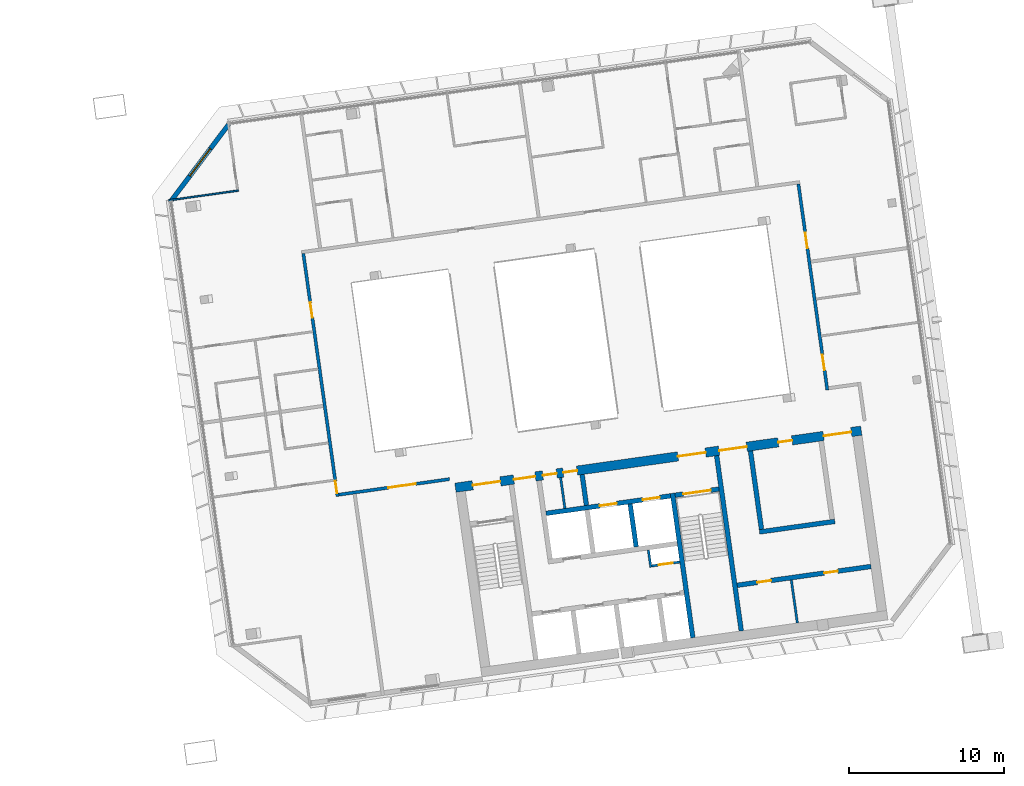
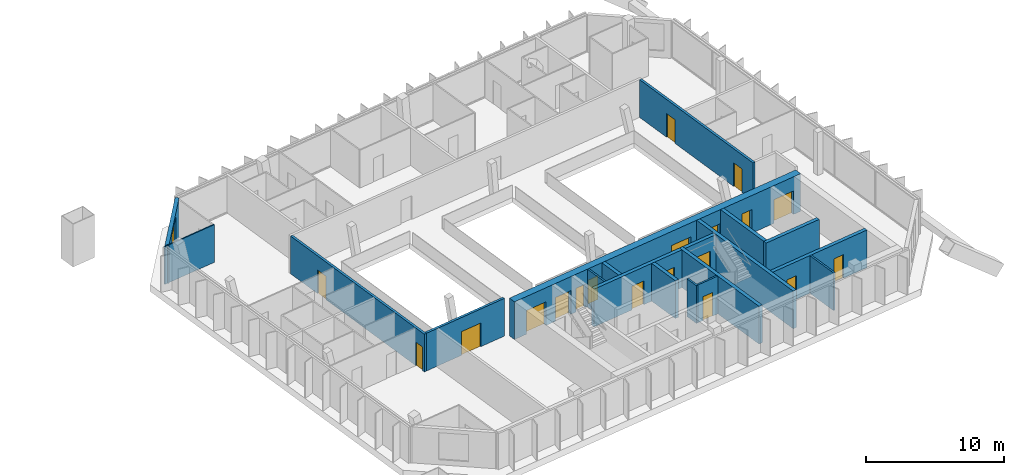
# One storey, part 18 of 25: 19 doors, 19 walls, 1 window, 20 openings.
"""IFC4 building model written with IfcOpenShell, lengths in metres."""

from ifc_helpers import new_model, si_unit, direction, frame, frame_2d, origin, place, context, subcontext, project, spatial, rectangle, extrude, material, layer, layer_set, type_object, element, fill, save


model = new_model("IFC4")

# Units and contexts
model_context = context("Model", 3, precision=1e-05, world=origin(), true_north=direction((0.0, 1.0)))
body_context = subcontext(model_context, "Body", "Model", "MODEL_VIEW")
ifc_project = project(units=[si_unit("LENGTHUNIT", "METRE"), si_unit("AREAUNIT", "SQUARE_METRE"), si_unit("VOLUMEUNIT", "CUBIC_METRE"), si_unit("PLANEANGLEUNIT", "RADIAN"), si_unit("MASSUNIT", "GRAM", prefix="KILO")], contexts=[model_context])

# Site, building, storey
site_placement = place(None, origin())
site = spatial("IfcSite", under=ifc_project, at=site_placement, CompositionType="ELEMENT")
building_placement = place(site_placement, origin())
building = spatial("IfcBuilding", under=site, at=building_placement, Name="Mirante Cascada Hotel Towers", CompositionType="ELEMENT")
storey_placement = place(building_placement, frame((0.0, 0.0, 247.0)))
storey = spatial("IfcBuildingStorey", under=building, at=storey_placement, Name="L59", CompositionType="ELEMENT", Elevation=247.0)

# Wall, opening, door
ifc_material_1 = material(Name="Fire-rated plasterboard on metal studs")
ifc_layer_1 = layer(ifc_material_1, 0.2)
ifc_layer_set_1 = layer_set([ifc_layer_1], Name="Compartment wall 200 EI 120")
wall_type_1 = type_object("IfcWallType", Name="Compartment wall 200 EI 120", PredefinedType="PARTITIONING", material=ifc_layer_set_1)
wall_1_placement = place(storey_placement, frame((28.1335, -8.1193, 0.0), z_axis=(0.0, 0.0, 1.0), x_axis=(0.9902689, 0.1391674, 0.0)))
wall_1 = element("IfcWall", 1, at=wall_1_placement, inside=storey, type_object=wall_type_1, Name="Wall 2-L59-02", PredefinedType="PARTITIONING", context=body_context, shape_type="SweptSolid", body=[
    extrude(rectangle(XDim=7.2, YDim=0.2, at=frame_2d((3.6, 0.0))), origin(), (0.0, 0.0, 1.0), 3.35),
])
opening_1_placement = place(wall_1_placement, frame((3.2085, 0.0, 0.0)))
opening_1 = element("IfcOpeningElement", 2, at=opening_1_placement, cuts=wall_1, Name="Opening D2-L59-01", PredefinedType="OPENING", context=body_context, shape_type="SweptSolid", body=[
    extrude(rectangle(XDim=1.8, YDim=2.1, at=frame_2d((0.9, 1.05))), frame((0.0, 0.1, 0.0), z_axis=(0.0, -1.0, 0.0), x_axis=(1.0, 0.0, 0.0)), (0.0, 0.0, 1.0), 0.2),
])
ifc_material_2 = material(Name="Fire-rated timber door leaf", Category="wood")
door_type_1 = type_object("IfcDoorType", Name="Suite double door DG2 1800x2100 EI 60", OperationType="DOUBLE_DOOR_SINGLE_SWING", PredefinedType="DOOR", material=ifc_material_2)
door_1_placement = place(opening_1_placement, origin())
door_1 = element("IfcDoor", 3, at=door_1_placement, inside=storey, type_object=door_type_1, Name="Door D2-L59-01", OperationType="DOUBLE_DOOR_SINGLE_SWING", OverallHeight=2.1, OverallWidth=1.8, PredefinedType="DOOR", context=body_context, shape_type="SweptSolid", body=[
    extrude(rectangle(XDim=0.895, YDim=2.1, at=frame_2d((0.4475, 1.05))), frame((0.0, 0.025, 0.0), z_axis=(0.0, -1.0, 0.0), x_axis=(1.0, 0.0, 0.0)), (0.0, 0.0, 1.0), 0.05),
    extrude(rectangle(XDim=0.895, YDim=2.1, at=frame_2d((1.3525, 1.05))), frame((0.0, 0.025, 0.0), z_axis=(0.0, -1.0, 0.0), x_axis=(1.0, 0.0, 0.0)), (0.0, 0.0, 1.0), 0.05),
])
fill(opening_1, door_1)

# Wall, openings, doors
wall_2_placement = place(storey_placement, frame((28.0484, -8.2323, 0.0), z_axis=(0.0, 0.0, 1.0), x_axis=(-0.1391766, 0.9902676, 0.0)))
wall_2 = element("IfcWall", 4, at=wall_2_placement, inside=storey, type_object=wall_type_1, Name="Wall 2-L59-32", PredefinedType="PARTITIONING", context=body_context, shape_type="SweptSolid", body=[
    extrude(rectangle(XDim=15.8001, YDim=0.2, at=frame_2d((7.9, 0.0))), origin(), (0.0, 0.0, 1.0), 3.35),
])
opening_2_placement = place(wall_2_placement, frame((0.205, 0.0, 0.0)))
opening_2 = element("IfcOpeningElement", 5, at=opening_2_placement, cuts=wall_2, Name="Opening D2-L59-23", PredefinedType="OPENING", context=body_context, shape_type="SweptSolid", body=[
    extrude(rectangle(XDim=0.8, YDim=2.1, at=frame_2d((0.4, 1.05))), frame((0.0, 0.1, 0.0), z_axis=(0.0, -1.0, 0.0), x_axis=(1.0, 0.0, 0.0)), (0.0, 0.0, 1.0), 0.2),
])
opening_3_placement = place(wall_2_placement, frame((11.6166, 0.0, 0.0)))
opening_3 = element("IfcOpeningElement", 6, at=opening_3_placement, cuts=wall_2, Name="Opening D2-L59-24", PredefinedType="OPENING", context=body_context, shape_type="SweptSolid", body=[
    extrude(rectangle(XDim=1.0, YDim=2.1, at=frame_2d((0.5, 1.05))), frame((0.0, 0.1, 0.0), z_axis=(0.0, -1.0, 0.0), x_axis=(1.0, 0.0, 0.0)), (0.0, 0.0, 1.0), 0.2),
])
ifc_material_3 = material(Name="Fire-rated timber door leaf", Category="wood")
door_type_2 = type_object("IfcDoorType", Name="Bathroom door DG4 800x2100 EI 60", OperationType="SINGLE_SWING_LEFT", PredefinedType="DOOR", material=ifc_material_3)
door_2_placement = place(opening_2_placement, origin())
door_2 = element("IfcDoor", 7, at=door_2_placement, inside=storey, type_object=door_type_2, Name="Door D2-L59-23", OperationType="SINGLE_SWING_LEFT", OverallHeight=2.1, OverallWidth=0.8, PredefinedType="DOOR", context=body_context, shape_type="SweptSolid", body=[
    extrude(rectangle(XDim=0.8, YDim=2.1, at=frame_2d((0.4, 1.05))), frame((0.0, 0.025, 0.0), z_axis=(0.0, -1.0, 0.0), x_axis=(1.0, 0.0, 0.0)), (0.0, 0.0, 1.0), 0.05),
])
fill(opening_2, door_2)
ifc_material_4 = material(Name="Fire-rated timber door leaf", Category="wood")
door_type_3 = type_object("IfcDoorType", Name="Entrance door DG1 1000x2100 EI 60", OperationType="SINGLE_SWING_LEFT", PredefinedType="DOOR", material=ifc_material_4)
door_3_placement = place(opening_3_placement, origin())
door_3 = element("IfcDoor", 8, at=door_3_placement, inside=storey, type_object=door_type_3, Name="Door D2-L59-24", OperationType="SINGLE_SWING_LEFT", OverallHeight=2.1, OverallWidth=1.0, PredefinedType="DOOR", context=body_context, shape_type="SweptSolid", body=[
    extrude(rectangle(XDim=1.0, YDim=2.1, at=frame_2d((0.5, 1.05))), frame((0.0, 0.025, 0.0), z_axis=(0.0, -1.0, 0.0), x_axis=(1.0, 0.0, 0.0)), (0.0, 0.0, 1.0), 0.05),
])
fill(opening_3, door_3)

wall_3_placement = place(storey_placement, frame((59.601, -1.3742, 0.0), z_axis=(0.0, 0.0, 1.0), x_axis=(-0.1391726, 0.9902681, 0.0)))
wall_3 = element("IfcWall", 9, at=wall_3_placement, inside=storey, type_object=wall_type_1, Name="Wall 2-L59-46", PredefinedType="PARTITIONING", context=body_context, shape_type="SweptSolid", body=[
    extrude(rectangle(XDim=13.3999, YDim=0.2, at=frame_2d((6.7, 0.0))), origin(), (0.0, 0.0, 1.0), 3.35),
])
opening_4_placement = place(wall_3_placement, frame((1.3, 0.0, 0.0)))
opening_4 = element("IfcOpeningElement", 10, at=opening_4_placement, cuts=wall_3, Name="Opening D2-L59-29", PredefinedType="OPENING", context=body_context, shape_type="SweptSolid", body=[
    extrude(rectangle(XDim=1.0, YDim=2.1, at=frame_2d((0.5, 1.05))), frame((0.0, 0.1, 0.0), z_axis=(0.0, -1.0, 0.0), x_axis=(1.0, 0.0, 0.0)), (0.0, 0.0, 1.0), 0.2),
])
opening_5_placement = place(wall_3_placement, frame((9.2166, 0.0, 0.0)))
opening_5 = element("IfcOpeningElement", 11, at=opening_5_placement, cuts=wall_3, Name="Opening D2-L59-30", PredefinedType="OPENING", context=body_context, shape_type="SweptSolid", body=[
    extrude(rectangle(XDim=1.0, YDim=2.1, at=frame_2d((0.5, 1.05))), frame((0.0, 0.1, 0.0), z_axis=(0.0, -1.0, 0.0), x_axis=(1.0, 0.0, 0.0)), (0.0, 0.0, 1.0), 0.2),
])
door_4_placement = place(opening_4_placement, frame((1.0, 0.0, 0.0), z_axis=(0.0, 0.0, 1.0), x_axis=(-1.0, 0.0, 0.0)))
door_4 = element("IfcDoor", 12, at=door_4_placement, inside=storey, type_object=door_type_3, Name="Door D2-L59-29", OperationType="SINGLE_SWING_RIGHT", OverallHeight=2.1, OverallWidth=1.0, PredefinedType="DOOR", context=body_context, shape_type="SweptSolid", body=[
    extrude(rectangle(XDim=1.0, YDim=2.1, at=frame_2d((0.5, 1.05))), frame((0.0, 0.025, 0.0), z_axis=(0.0, -1.0, 0.0), x_axis=(1.0, 0.0, 0.0)), (0.0, 0.0, 1.0), 0.05),
])
fill(opening_4, door_4)
door_5_placement = place(opening_5_placement, frame((1.0, 0.0, 0.0), z_axis=(0.0, 0.0, 1.0), x_axis=(-1.0, 0.0, 0.0)))
door_5 = element("IfcDoor", 13, at=door_5_placement, inside=storey, type_object=door_type_3, Name="Door D2-L59-30", OperationType="SINGLE_SWING_RIGHT", OverallHeight=2.1, OverallWidth=1.0, PredefinedType="DOOR", context=body_context, shape_type="SweptSolid", body=[
    extrude(rectangle(XDim=1.0, YDim=2.1, at=frame_2d((0.5, 1.05))), frame((0.0, 0.025, 0.0), z_axis=(0.0, -1.0, 0.0), x_axis=(1.0, 0.0, 0.0)), (0.0, 0.0, 1.0), 0.05),
])
fill(opening_5, door_5)

# Wall
ifc_material_5 = material(Name="Masonry block", Category="masonry")
ifc_layer_2 = layer(ifc_material_5, 0.15)
ifc_layer_set_2 = layer_set([ifc_layer_2], Name="Core room partition 150 block EI 30")
wall_type_2 = type_object("IfcWallType", Name="Core room partition 150 block EI 30", PredefinedType="PARTITIONING", material=ifc_layer_set_2)
wall_4_placement = place(storey_placement, frame((48.2295, -12.793, 0.0), z_axis=(0.0, 0.0, 1.0), x_axis=(-0.1391935, 0.9902652, 0.0)))
element("IfcWall", 14, at=wall_4_placement, inside=storey, type_object=wall_type_2, Name="Core wall partition T2 L59 2", PredefinedType="PARTITIONING", context=body_context, shape_type="SweptSolid", body=[
    extrude(rectangle(XDim=1.1251, YDim=0.15, at=frame_2d((0.5626, 0.0))), origin(), (0.0, 0.0, 1.0), 3.35),
])

# Wall, opening, door
wall_5_placement = place(storey_placement, frame((48.2933, -12.7083, 0.0), z_axis=(0.0, 0.0, 1.0), x_axis=(0.990268, 0.1391734, 0.0)))
wall_5 = element("IfcWall", 15, at=wall_5_placement, inside=storey, type_object=wall_type_2, Name="Core wall partition T2 L59 3", PredefinedType="PARTITIONING", context=body_context, shape_type="SweptSolid", body=[
    extrude(rectangle(XDim=1.8251, YDim=0.15, at=frame_2d((0.9126, 0.0))), origin(), (0.0, 0.0, 1.0), 3.35),
])
opening_6_placement = place(wall_5_placement, frame((0.4625, 0.0, 0.0)))
opening_6 = element("IfcOpeningElement", 16, at=opening_6_placement, cuts=wall_5, Name="Opening D2-59-C15", PredefinedType="OPENING", context=body_context, shape_type="SweptSolid", body=[
    extrude(rectangle(XDim=0.9, YDim=2.1, at=frame_2d((0.45, 1.05))), frame((0.0, 0.075, 0.0), z_axis=(0.0, -1.0, 0.0), x_axis=(1.0, 0.0, 0.0)), (0.0, 0.0, 1.0), 0.15),
])
ifc_material_6 = material(Name="Hollow metal fire door leaf")
door_type_4 = type_object("IfcDoorType", Name="Fire door 900x2100 FD60", OperationType="NOTDEFINED", PredefinedType="DOOR", material=ifc_material_6)
door_6_placement = place(opening_6_placement, frame((0.9, 0.0, 0.0), z_axis=(0.0, 0.0, 1.0), x_axis=(-1.0, 0.0, 0.0)))
door_6 = element("IfcDoor", 17, at=door_6_placement, inside=storey, type_object=door_type_4, Name="Riser door T2 L59 15", OperationType="SINGLE_SWING_RIGHT", OverallHeight=2.1, OverallWidth=0.9, PredefinedType="DOOR", context=body_context, shape_type="SweptSolid", body=[
    extrude(rectangle(XDim=0.9, YDim=2.1, at=frame_2d((0.45, 1.05))), frame((0.0, 0.025, 0.0), z_axis=(0.0, -1.0, 0.0), x_axis=(1.0, 0.0, 0.0)), (0.0, 0.0, 1.0), 0.05),
])
fill(opening_6, door_6)

# Walls
wall_6_placement = place(storey_placement, frame((42.6979, -9.0009, 0.0), z_axis=(0.0, 0.0, 1.0), x_axis=(-0.1391529, 0.9902709, 0.0)))
element("IfcWall", 18, at=wall_6_placement, inside=storey, type_object=wall_type_2, Name="Core wall partition T2 L59 4", PredefinedType="PARTITIONING", context=body_context, shape_type="SweptSolid", body=[
    extrude(rectangle(XDim=2.0, YDim=0.15, at=frame_2d((1.0, 0.0))), origin(), (0.0, 0.0, 1.0), 3.35),
])
wall_7_placement = place(storey_placement, frame((57.6718, -16.3889, 0.0), z_axis=(0.0, 0.0, 1.0), x_axis=(-0.139141, 0.9902726, 0.0)))
element("IfcWall", 19, at=wall_7_placement, inside=storey, type_object=wall_type_2, Name="Core wall partition T2 L59 6", PredefinedType="PARTITIONING", context=body_context, shape_type="SweptSolid", body=[
    extrude(rectangle(XDim=2.8, YDim=0.15, at=frame_2d((1.4, 0.0))), origin(), (0.0, 0.0, 1.0), 3.35),
])
ifc_material_7 = material(Name="Masonry block", Category="masonry")
ifc_layer_3 = layer(ifc_material_7, 0.3)
ifc_layer_set_3 = layer_set([ifc_layer_3], Name="Core wall 300 block EI 120")
wall_type_3 = type_object("IfcWallType", Name="Core wall 300 block EI 120", PredefinedType="PARTITIONING", material=ifc_layer_set_3)
wall_8_placement = place(storey_placement, frame((44.0843, -8.8061, 0.0), z_axis=(0.0, 0.0, 1.0), x_axis=(-0.1391951, 0.990265, 0.0)))
element("IfcWall", 20, at=wall_8_placement, inside=storey, type_object=wall_type_3, Name="Core wall partition T2 L59 1", PredefinedType="PARTITIONING", context=body_context, shape_type="SweptSolid", body=[
    extrude(rectangle(XDim=2.0001, YDim=0.3, at=frame_2d((1.0001, 0.0))), origin(), (0.0, 0.0, 1.0), 3.35),
])

# Wall, openings, doors
wall_9_placement = place(storey_placement, frame((53.7953, -13.9547, 0.0), z_axis=(0.0, 0.0, 1.0), x_axis=(0.9902683, 0.1391714, 0.0)))
wall_9 = element("IfcWall", 21, at=wall_9_placement, inside=storey, type_object=wall_type_3, Name="Core wall partition T2 L59 5", PredefinedType="PARTITIONING", context=body_context, shape_type="SweptSolid", body=[
    extrude(rectangle(XDim=8.7001, YDim=0.3, at=frame_2d((4.3501, 0.0))), origin(), (0.0, 0.0, 1.0), 3.35),
])
opening_7_placement = place(wall_9_placement, frame((1.3, 0.0, 0.0)))
opening_7 = element("IfcOpeningElement", 22, at=opening_7_placement, cuts=wall_9, Name="Opening D2-59-C18", PredefinedType="OPENING", context=body_context, shape_type="SweptSolid", body=[
    extrude(rectangle(XDim=0.9, YDim=2.1, at=frame_2d((0.45, 1.05))), frame((0.0, 0.15, 0.0), z_axis=(0.0, -1.0, 0.0), x_axis=(1.0, 0.0, 0.0)), (0.0, 0.0, 1.0), 0.3),
])
opening_8_placement = place(wall_9_placement, frame((5.65, 0.0, 0.0)))
opening_8 = element("IfcOpeningElement", 23, at=opening_8_placement, cuts=wall_9, Name="Opening D2-59-C19", PredefinedType="OPENING", context=body_context, shape_type="SweptSolid", body=[
    extrude(rectangle(XDim=0.9, YDim=2.1, at=frame_2d((0.45, 1.05))), frame((0.0, 0.15, 0.0), z_axis=(0.0, -1.0, 0.0), x_axis=(1.0, 0.0, 0.0)), (0.0, 0.0, 1.0), 0.3),
])
door_7_placement = place(opening_7_placement, frame((0.9, 0.0, 0.0), z_axis=(0.0, 0.0, 1.0), x_axis=(-1.0, 0.0, 0.0)))
door_7 = element("IfcDoor", 24, at=door_7_placement, inside=storey, type_object=door_type_4, Name="Room door T2 L59 18", OperationType="SINGLE_SWING_LEFT", OverallHeight=2.1, OverallWidth=0.9, PredefinedType="DOOR", context=body_context, shape_type="SweptSolid", body=[
    extrude(rectangle(XDim=0.9, YDim=2.1, at=frame_2d((0.45, 1.05))), frame((0.0, 0.025, 0.0), z_axis=(0.0, -1.0, 0.0), x_axis=(1.0, 0.0, 0.0)), (0.0, 0.0, 1.0), 0.05),
])
fill(opening_7, door_7)
door_8_placement = place(opening_8_placement, frame((0.9, 0.0, 0.0), z_axis=(0.0, 0.0, 1.0), x_axis=(-1.0, 0.0, 0.0)))
door_8 = element("IfcDoor", 25, at=door_8_placement, inside=storey, type_object=door_type_4, Name="Room door T2 L59 19", OperationType="SINGLE_SWING_RIGHT", OverallHeight=2.1, OverallWidth=0.9, PredefinedType="DOOR", context=body_context, shape_type="SweptSolid", body=[
    extrude(rectangle(XDim=0.9, YDim=2.1, at=frame_2d((0.45, 1.05))), frame((0.0, 0.025, 0.0), z_axis=(0.0, -1.0, 0.0), x_axis=(1.0, 0.0, 0.0)), (0.0, 0.0, 1.0), 0.05),
])
fill(opening_8, door_8)

# Wall
ifc_material_8 = material(Name="Plasterboard on metal studs")
ifc_layer_4 = layer(ifc_material_8, 0.1)
ifc_layer_set_4 = layer_set([ifc_layer_4], Name="Partition 100")
wall_type_4 = type_object("IfcWallType", Name="Partition 100", PredefinedType="PARTITIONING", material=ifc_layer_set_4)
wall_10_placement = place(storey_placement, frame((17.1648, 10.8386, 0.0), z_axis=(0.0, 0.0, 1.0), x_axis=(0.9902661, 0.1391871, 0.0)))
element("IfcWall", 26, at=wall_10_placement, inside=storey, type_object=wall_type_4, Name="Wall 2-L59-20", PredefinedType="PARTITIONING", context=body_context, shape_type="SweptSolid", body=[
    extrude(rectangle(XDim=4.55, YDim=0.1, at=frame_2d((2.275, 0.0))), origin(), (0.0, 0.0, 1.0), 3.35),
])

# Wall, opening, window
ifc_material_9 = material(Name="Precast concrete C40/50", Category="concrete")
ifc_layer_5 = layer(ifc_material_9, 0.3)
ifc_layer_set_5 = layer_set([ifc_layer_5], Name="Precast concrete C40/50 cladding wall 300")
wall_type_5 = type_object("IfcWallType", Name="Precast concrete C40/50 cladding wall 300", PredefinedType="STANDARD", material=ifc_layer_set_5)
wall_11_placement = place(storey_placement, frame((21.0398, 15.7317, 0.0), z_axis=(0.0, 0.0, 1.0), x_axis=(-0.6018141, -0.7986362, 0.0)))
wall_11 = element("IfcWall", 27, at=wall_11_placement, inside=storey, type_object=wall_type_5, Name="Corner cladding wall T2 L59 front inner", PredefinedType="STANDARD", context=body_context, shape_type="SweptSolid", body=[
    extrude(rectangle(XDim=6.1157, YDim=0.3, at=frame_2d((3.0578, 0.0))), origin(), (0.0, 0.0, 1.0), 3.35),
])
opening_9_placement = place(wall_11_placement, frame((1.9578, 0.0, 0.6)))
opening_9 = element("IfcOpeningElement", 28, at=opening_9_placement, cuts=wall_11, Name="Opening W2-59-05", PredefinedType="OPENING", context=body_context, shape_type="SweptSolid", body=[
    extrude(rectangle(XDim=2.2, YDim=2.4, at=frame_2d((1.1, 1.2))), frame((0.0, 0.15, 0.0), z_axis=(0.0, -1.0, 0.0), x_axis=(1.0, 0.0, 0.0)), (0.0, 0.0, 1.0), 0.3),
])
ifc_material_10 = material(Name="Aluminium frame with clear double glazing", Category="aluminium")
window_type = type_object("IfcWindowType", Name="Corner suite window 2200x2400", PartitioningType="DOUBLE_PANEL_VERTICAL", PredefinedType="WINDOW", material=ifc_material_10)
window_placement = place(opening_9_placement, origin())
window = element("IfcWindow", 29, at=window_placement, inside=storey, type_object=window_type, Name="Window W2-59-05", OverallHeight=2.4, OverallWidth=2.2, PartitioningType="SINGLE_PANEL", PredefinedType="WINDOW", context=body_context, shape_type="SweptSolid", body=[
    extrude(rectangle(XDim=2.2, YDim=2.4, at=frame_2d((1.1, 1.2))), frame((0.0, 0.03, 0.0), z_axis=(0.0, -1.0, 0.0), x_axis=(1.0, 0.0, 0.0)), (0.0, 0.0, 1.0), 0.06),
])
fill(opening_9, window)

# Walls
ifc_material_11 = material(Name="Concrete C50/60", Category="concrete")
ifc_layer_6 = layer(ifc_material_11, 0.3)
ifc_layer_set_6 = layer_set([ifc_layer_6], Name="RC core wall 300 C50/60")
wall_type_6 = type_object("IfcWallType", Name="RC core wall 300 C50/60", PredefinedType="SHEAR", material=ifc_layer_set_6)
wall_12_placement = place(storey_placement, frame((50.938, -17.3352, 0.0), z_axis=(0.0, 0.0, 1.0), x_axis=(-0.1391706, 0.9902684, 0.0)))
element("IfcWall", 30, at=wall_12_placement, inside=storey, type_object=wall_type_6, Name="Core wall T2:L59:6", PredefinedType="SHEAR", context=body_context, shape_type="SweptSolid", body=[
    extrude(rectangle(XDim=9.4, YDim=0.3, at=frame_2d((4.7, 0.0))), origin(), (0.0, 0.0, 1.0), 3.35),
])
wall_13_placement = place(storey_placement, frame((54.0574, -16.8968, 0.0), z_axis=(0.0, 0.0, 1.0), x_axis=(-0.1391761, 0.9902677, 0.0)))
element("IfcWall", 31, at=wall_13_placement, inside=storey, type_object=wall_type_6, Name="Core wall T2:L59:7", PredefinedType="SHEAR", context=body_context, shape_type="SweptSolid", body=[
    extrude(rectangle(XDim=11.3999, YDim=0.3, at=frame_2d((5.7, 0.0))), origin(), (0.0, 0.0, 1.0), 3.35),
])

# Wall, opening, door
wall_14_placement = place(storey_placement, frame((49.7992, -8.1544, 0.0), z_axis=(0.0, 0.0, 1.0), x_axis=(0.9902656, 0.1391909, 0.0)))
wall_14 = element("IfcWall", 32, at=wall_14_placement, inside=storey, type_object=wall_type_6, Name="Core wall T2:L59:9", PredefinedType="SHEAR", context=body_context, shape_type="SweptSolid", body=[
    extrude(rectangle(XDim=2.85, YDim=0.3, at=frame_2d((1.425, 0.0))), origin(), (0.0, 0.0, 1.0), 3.35),
])
opening_10_placement = place(wall_14_placement, frame((0.525, 0.0, 0.0)))
opening_10 = element("IfcOpeningElement", 33, at=opening_10_placement, cuts=wall_14, Name="Opening D2-59-C09", PredefinedType="OPENING", context=body_context, shape_type="SweptSolid", body=[
    extrude(rectangle(XDim=1.8, YDim=2.1, at=frame_2d((0.9, 1.05))), frame((0.0, 0.15, 0.0), z_axis=(0.0, -1.0, 0.0), x_axis=(1.0, 0.0, 0.0)), (0.0, 0.0, 1.0), 0.3),
])
ifc_material_12 = material(Name="Hollow metal fire door leaf")
door_type_5 = type_object("IfcDoorType", Name="Double fire door 1800x2100 FD60", OperationType="DOUBLE_DOOR_SINGLE_SWING", PredefinedType="DOOR", material=ifc_material_12)
door_9_placement = place(opening_10_placement, frame((1.8, 0.0, 0.0), z_axis=(0.0, 0.0, 1.0), x_axis=(-1.0, 0.0, 0.0)))
door_9 = element("IfcDoor", 34, at=door_9_placement, inside=storey, type_object=door_type_5, Name="Stair door T2 L59 9", OperationType="DOUBLE_DOOR_SINGLE_SWING", OverallHeight=2.1, OverallWidth=1.8, PredefinedType="DOOR", context=body_context, shape_type="SweptSolid", body=[
    extrude(rectangle(XDim=0.895, YDim=2.1, at=frame_2d((0.4475, 1.05))), frame((0.0, 0.025, 0.0), z_axis=(0.0, -1.0, 0.0), x_axis=(1.0, 0.0, 0.0)), (0.0, 0.0, 1.0), 0.05),
    extrude(rectangle(XDim=0.895, YDim=2.1, at=frame_2d((1.3525, 1.05))), frame((0.0, 0.025, 0.0), z_axis=(0.0, -1.0, 0.0), x_axis=(1.0, 0.0, 0.0)), (0.0, 0.0, 1.0), 0.05),
])
fill(opening_10, door_9)

# Wall, openings, doors
wall_15_placement = place(storey_placement, frame((41.481, -9.3234, 0.0), z_axis=(0.0, 0.0, 1.0), x_axis=(0.9902679, 0.1391741, 0.0)))
wall_15 = element("IfcWall", 35, at=wall_15_placement, inside=storey, type_object=wall_type_6, Name="Core wall T2:L59:12", PredefinedType="SHEAR", context=body_context, shape_type="SweptSolid", body=[
    extrude(rectangle(XDim=8.0999, YDim=0.3, at=frame_2d((4.05, 0.0))), origin(), (0.0, 0.0, 1.0), 3.35),
])
opening_11_placement = place(wall_15_placement, frame((3.5, 0.0, 0.0)))
opening_11 = element("IfcOpeningElement", 36, at=opening_11_placement, cuts=wall_15, Name="Opening LD", PredefinedType="OPENING", context=body_context, shape_type="SweptSolid", body=[
    extrude(rectangle(XDim=1.1, YDim=2.1, at=frame_2d((0.55, 1.05))), frame((0.0, 0.15, 0.0), z_axis=(0.0, -1.0, 0.0), x_axis=(1.0, 0.0, 0.0)), (0.0, 0.0, 1.0), 0.3),
])
opening_12_placement = place(wall_15_placement, frame((6.3, 0.0, 0.0)))
opening_12 = element("IfcOpeningElement", 37, at=opening_12_placement, cuts=wall_15, Name="Opening LD", PredefinedType="OPENING", context=body_context, shape_type="SweptSolid", body=[
    extrude(rectangle(XDim=1.1, YDim=2.1, at=frame_2d((0.55, 1.05))), frame((0.0, 0.15, 0.0), z_axis=(0.0, -1.0, 0.0), x_axis=(1.0, 0.0, 0.0)), (0.0, 0.0, 1.0), 0.3),
])
ifc_material_13 = material(Name="Stainless steel", Category="steel")
door_type_6 = type_object("IfcDoorType", Name="Lift landing door 1100x2100 EI 120", OperationType="DOUBLE_DOOR_SLIDING", PredefinedType="DOOR", material=ifc_material_13)
door_10_placement = place(opening_11_placement, origin())
door_10 = element("IfcDoor", 38, at=door_10_placement, inside=storey, type_object=door_type_6, Name="Lift landing door FF3 L59", OperationType="DOUBLE_DOOR_SLIDING", OverallHeight=2.1, OverallWidth=1.1, PredefinedType="DOOR", context=body_context, shape_type="SweptSolid", body=[
    extrude(rectangle(XDim=0.545, YDim=2.1, at=frame_2d((0.2725, 1.05))), frame((0.0, 0.025, 0.0), z_axis=(0.0, -1.0, 0.0), x_axis=(1.0, 0.0, 0.0)), (0.0, 0.0, 1.0), 0.05),
    extrude(rectangle(XDim=0.545, YDim=2.1, at=frame_2d((0.8275, 1.05))), frame((0.0, 0.025, 0.0), z_axis=(0.0, -1.0, 0.0), x_axis=(1.0, 0.0, 0.0)), (0.0, 0.0, 1.0), 0.05),
])
fill(opening_11, door_10)
door_11_placement = place(opening_12_placement, origin())
door_11 = element("IfcDoor", 39, at=door_11_placement, inside=storey, type_object=door_type_6, Name="Lift landing door FF4 L59", OperationType="DOUBLE_DOOR_SLIDING", OverallHeight=2.1, OverallWidth=1.1, PredefinedType="DOOR", context=body_context, shape_type="SweptSolid", body=[
    extrude(rectangle(XDim=0.545, YDim=2.1, at=frame_2d((0.2725, 1.05))), frame((0.0, 0.025, 0.0), z_axis=(0.0, -1.0, 0.0), x_axis=(1.0, 0.0, 0.0)), (0.0, 0.0, 1.0), 0.05),
    extrude(rectangle(XDim=0.545, YDim=2.1, at=frame_2d((0.8275, 1.05))), frame((0.0, 0.025, 0.0), z_axis=(0.0, -1.0, 0.0), x_axis=(1.0, 0.0, 0.0)), (0.0, 0.0, 1.0), 0.05),
])
fill(opening_12, door_11)

# Walls
wall_16_placement = place(storey_placement, frame((47.2885, -11.4862, 0.0), z_axis=(0.0, 0.0, 1.0), x_axis=(-0.139181, 0.990267, 0.0)))
element("IfcWall", 40, at=wall_16_placement, inside=storey, type_object=wall_type_6, Name="Core wall T2:L59:17", PredefinedType="SHEAR", context=body_context, shape_type="SweptSolid", body=[
    extrude(rectangle(XDim=2.8, YDim=0.3, at=frame_2d((1.4, 0.0))), origin(), (0.0, 0.0, 1.0), 3.35),
])
wall_17_placement = place(storey_placement, frame((55.2315, -10.5214, 0.0), z_axis=(0.0, 0.0, 1.0), x_axis=(0.9902666, 0.1391838, 0.0)))
element("IfcWall", 41, at=wall_17_placement, inside=storey, type_object=wall_type_6, Name="Core wall T2:L59:25", PredefinedType="SHEAR", context=body_context, shape_type="SweptSolid", body=[
    extrude(rectangle(XDim=4.9, YDim=0.3, at=frame_2d((2.45, 0.0))), origin(), (0.0, 0.0, 1.0), 3.35),
])
wall_18_placement = place(storey_placement, frame((55.3592, -10.352, 0.0), z_axis=(0.0, 0.0, 1.0), x_axis=(-0.1391755, 0.9902677, 0.0)))
element("IfcWall", 42, at=wall_18_placement, inside=storey, type_object=wall_type_6, Name="Core wall T2:L59:26", PredefinedType="SHEAR", context=body_context, shape_type="SweptSolid", body=[
    extrude(rectangle(XDim=5.1, YDim=0.3, at=frame_2d((2.55, 0.0))), origin(), (0.0, 0.0, 1.0), 3.35),
])

# Wall, openings, doors
ifc_material_14 = material(Name="Concrete C50/60", Category="concrete")
ifc_layer_7 = layer(ifc_material_14, 0.6)
ifc_layer_set_7 = layer_set([ifc_layer_7], Name="RC core wall 600 C50/60")
wall_type_7 = type_object("IfcWallType", Name="RC core wall 600 C50/60", PredefinedType="SHEAR", material=ifc_layer_set_7)
wall_19_placement = place(storey_placement, frame((35.644, -7.6697, 0.0), z_axis=(0.0, 0.0, 1.0), x_axis=(0.9902679, 0.1391741, 0.0)))
wall_19 = element("IfcWall", 43, at=wall_19_placement, inside=storey, type_object=wall_type_7, Name="Core wall T2:L59:2", PredefinedType="SHEAR", context=body_context, shape_type="SweptSolid", body=[
    extrude(rectangle(XDim=26.4, YDim=0.6, at=frame_2d((13.2, 0.0))), origin(), (0.0, 0.0, 1.0), 3.35),
])
opening_13_placement = place(wall_19_placement, frame((1.125, 0.0, 0.0)))
opening_13 = element("IfcOpeningElement", 44, at=opening_13_placement, cuts=wall_19, Name="Opening D2-59-C08", PredefinedType="OPENING", context=body_context, shape_type="SweptSolid", body=[
    extrude(rectangle(XDim=1.8, YDim=2.1, at=frame_2d((0.9, 1.05))), frame((0.0, 0.3, 0.0), z_axis=(0.0, -1.0, 0.0), x_axis=(1.0, 0.0, 0.0)), (0.0, 0.0, 1.0), 0.6),
])
opening_14_placement = place(wall_19_placement, frame((14.475, 0.0, 0.0)))
opening_14 = element("IfcOpeningElement", 45, at=opening_14_placement, cuts=wall_19, Name="Opening D2-59-C10", PredefinedType="OPENING", context=body_context, shape_type="SweptSolid", body=[
    extrude(rectangle(XDim=1.8, YDim=2.1, at=frame_2d((0.9, 1.05))), frame((0.0, 0.3, 0.0), z_axis=(0.0, -1.0, 0.0), x_axis=(1.0, 0.0, 0.0)), (0.0, 0.0, 1.0), 0.6),
])
opening_15_placement = place(wall_19_placement, frame((3.8, 0.0, 0.0)))
opening_15 = element("IfcOpeningElement", 46, at=opening_15_placement, cuts=wall_19, Name="Opening D2-59-C11", PredefinedType="OPENING", context=body_context, shape_type="SweptSolid", body=[
    extrude(rectangle(XDim=1.4, YDim=2.1, at=frame_2d((0.7, 1.05))), frame((0.0, 0.3, 0.0), z_axis=(0.0, -1.0, 0.0), x_axis=(1.0, 0.0, 0.0)), (0.0, 0.0, 1.0), 0.6),
])
opening_16_placement = place(wall_19_placement, frame((17.15, 0.0, 0.0)))
opening_16 = element("IfcOpeningElement", 47, at=opening_16_placement, cuts=wall_19, Name="Opening D2-59-C12", PredefinedType="OPENING", context=body_context, shape_type="SweptSolid", body=[
    extrude(rectangle(XDim=1.8, YDim=2.1, at=frame_2d((0.9, 1.05))), frame((0.0, 0.3, 0.0), z_axis=(0.0, -1.0, 0.0), x_axis=(1.0, 0.0, 0.0)), (0.0, 0.0, 1.0), 0.6),
])
opening_17_placement = place(wall_19_placement, frame((23.95, 0.0, 0.0)))
opening_17 = element("IfcOpeningElement", 48, at=opening_17_placement, cuts=wall_19, Name="Opening D2-59-C13", PredefinedType="OPENING", context=body_context, shape_type="SweptSolid", body=[
    extrude(rectangle(XDim=1.8, YDim=2.1, at=frame_2d((0.9, 1.05))), frame((0.0, 0.3, 0.0), z_axis=(0.0, -1.0, 0.0), x_axis=(1.0, 0.0, 0.0)), (0.0, 0.0, 1.0), 0.6),
])
opening_18_placement = place(wall_19_placement, frame((5.6875, 0.0, 0.0)))
opening_18 = element("IfcOpeningElement", 49, at=opening_18_placement, cuts=wall_19, Name="Opening D2-59-C16", PredefinedType="OPENING", context=body_context, shape_type="SweptSolid", body=[
    extrude(rectangle(XDim=0.9, YDim=2.1, at=frame_2d((0.45, 1.05))), frame((0.0, 0.3, 0.0), z_axis=(0.0, -1.0, 0.0), x_axis=(1.0, 0.0, 0.0)), (0.0, 0.0, 1.0), 0.6),
])
opening_19_placement = place(wall_19_placement, frame((7.0125, 0.0, 0.0)))
opening_19 = element("IfcOpeningElement", 50, at=opening_19_placement, cuts=wall_19, Name="Opening D2-59-C17", PredefinedType="OPENING", context=body_context, shape_type="SweptSolid", body=[
    extrude(rectangle(XDim=0.9, YDim=2.1, at=frame_2d((0.45, 1.05))), frame((0.0, 0.3, 0.0), z_axis=(0.0, -1.0, 0.0), x_axis=(1.0, 0.0, 0.0)), (0.0, 0.0, 1.0), 0.6),
])
opening_20_placement = place(wall_19_placement, frame((21.0, 0.0, 0.0)))
opening_20 = element("IfcOpeningElement", 51, at=opening_20_placement, cuts=wall_19, Name="Opening D2-59-C20", PredefinedType="OPENING", context=body_context, shape_type="SweptSolid", body=[
    extrude(rectangle(XDim=0.9, YDim=2.1, at=frame_2d((0.45, 1.05))), frame((0.0, 0.3, 0.0), z_axis=(0.0, -1.0, 0.0), x_axis=(1.0, 0.0, 0.0)), (0.0, 0.0, 1.0), 0.6),
])
ifc_material_15 = material(Name="Hollow metal fire door leaf")
door_type_7 = type_object("IfcDoorType", Name="Double fire door 1400x2100 FD60", OperationType="DOUBLE_DOOR_SINGLE_SWING", PredefinedType="DOOR", material=ifc_material_15)
door_12_placement = place(opening_15_placement, origin())
door_12 = element("IfcDoor", 52, at=door_12_placement, inside=storey, type_object=door_type_7, Name="Exit door to gallery T2 L59 11", OperationType="DOUBLE_DOOR_SINGLE_SWING", OverallHeight=2.1, OverallWidth=1.4, PredefinedType="DOOR", context=body_context, shape_type="SweptSolid", body=[
    extrude(rectangle(XDim=0.695, YDim=2.1, at=frame_2d((0.3475, 1.05))), frame((0.0, 0.025, 0.0), z_axis=(0.0, -1.0, 0.0), x_axis=(1.0, 0.0, 0.0)), (0.0, 0.0, 1.0), 0.05),
    extrude(rectangle(XDim=0.695, YDim=2.1, at=frame_2d((1.0525, 1.05))), frame((0.0, 0.025, 0.0), z_axis=(0.0, -1.0, 0.0), x_axis=(1.0, 0.0, 0.0)), (0.0, 0.0, 1.0), 0.05),
])
fill(opening_15, door_12)
door_13_placement = place(opening_13_placement, frame((1.8, 0.0, 0.0), z_axis=(0.0, 0.0, 1.0), x_axis=(-1.0, 0.0, 0.0)))
door_13 = element("IfcDoor", 53, at=door_13_placement, inside=storey, type_object=door_type_5, Name="Exit door to gallery T2 L59 8", OperationType="DOUBLE_DOOR_SINGLE_SWING", OverallHeight=2.1, OverallWidth=1.8, PredefinedType="DOOR", context=body_context, shape_type="SweptSolid", body=[
    extrude(rectangle(XDim=0.895, YDim=2.1, at=frame_2d((0.4475, 1.05))), frame((0.0, 0.025, 0.0), z_axis=(0.0, -1.0, 0.0), x_axis=(1.0, 0.0, 0.0)), (0.0, 0.0, 1.0), 0.05),
    extrude(rectangle(XDim=0.895, YDim=2.1, at=frame_2d((1.3525, 1.05))), frame((0.0, 0.025, 0.0), z_axis=(0.0, -1.0, 0.0), x_axis=(1.0, 0.0, 0.0)), (0.0, 0.0, 1.0), 0.05),
])
fill(opening_13, door_13)
door_14_placement = place(opening_14_placement, frame((1.8, 0.0, 0.0), z_axis=(0.0, 0.0, 1.0), x_axis=(-1.0, 0.0, 0.0)))
door_14 = element("IfcDoor", 54, at=door_14_placement, inside=storey, type_object=door_type_5, Name="Exit door to gallery T2 L59 10", OperationType="DOUBLE_DOOR_SINGLE_SWING", OverallHeight=2.1, OverallWidth=1.8, PredefinedType="DOOR", context=body_context, shape_type="SweptSolid", body=[
    extrude(rectangle(XDim=0.895, YDim=2.1, at=frame_2d((0.4475, 1.05))), frame((0.0, 0.025, 0.0), z_axis=(0.0, -1.0, 0.0), x_axis=(1.0, 0.0, 0.0)), (0.0, 0.0, 1.0), 0.05),
    extrude(rectangle(XDim=0.895, YDim=2.1, at=frame_2d((1.3525, 1.05))), frame((0.0, 0.025, 0.0), z_axis=(0.0, -1.0, 0.0), x_axis=(1.0, 0.0, 0.0)), (0.0, 0.0, 1.0), 0.05),
])
fill(opening_14, door_14)
door_15_placement = place(opening_16_placement, origin())
door_15 = element("IfcDoor", 55, at=door_15_placement, inside=storey, type_object=door_type_5, Name="Exit door to gallery T2 L59 12", OperationType="DOUBLE_DOOR_SINGLE_SWING", OverallHeight=2.1, OverallWidth=1.8, PredefinedType="DOOR", context=body_context, shape_type="SweptSolid", body=[
    extrude(rectangle(XDim=0.895, YDim=2.1, at=frame_2d((0.4475, 1.05))), frame((0.0, 0.025, 0.0), z_axis=(0.0, -1.0, 0.0), x_axis=(1.0, 0.0, 0.0)), (0.0, 0.0, 1.0), 0.05),
    extrude(rectangle(XDim=0.895, YDim=2.1, at=frame_2d((1.3525, 1.05))), frame((0.0, 0.025, 0.0), z_axis=(0.0, -1.0, 0.0), x_axis=(1.0, 0.0, 0.0)), (0.0, 0.0, 1.0), 0.05),
])
fill(opening_16, door_15)
door_16_placement = place(opening_17_placement, origin())
door_16 = element("IfcDoor", 56, at=door_16_placement, inside=storey, type_object=door_type_5, Name="Exit door to gallery T2 L59 13", OperationType="DOUBLE_DOOR_SINGLE_SWING", OverallHeight=2.1, OverallWidth=1.8, PredefinedType="DOOR", context=body_context, shape_type="SweptSolid", body=[
    extrude(rectangle(XDim=0.895, YDim=2.1, at=frame_2d((0.4475, 1.05))), frame((0.0, 0.025, 0.0), z_axis=(0.0, -1.0, 0.0), x_axis=(1.0, 0.0, 0.0)), (0.0, 0.0, 1.0), 0.05),
    extrude(rectangle(XDim=0.895, YDim=2.1, at=frame_2d((1.3525, 1.05))), frame((0.0, 0.025, 0.0), z_axis=(0.0, -1.0, 0.0), x_axis=(1.0, 0.0, 0.0)), (0.0, 0.0, 1.0), 0.05),
])
fill(opening_17, door_16)
door_17_placement = place(opening_18_placement, frame((0.9, 0.0, 0.0), z_axis=(0.0, 0.0, 1.0), x_axis=(-1.0, 0.0, 0.0)))
door_17 = element("IfcDoor", 57, at=door_17_placement, inside=storey, type_object=door_type_4, Name="Room door T2 L59 16", OperationType="SINGLE_SWING_LEFT", OverallHeight=2.1, OverallWidth=0.9, PredefinedType="DOOR", context=body_context, shape_type="SweptSolid", body=[
    extrude(rectangle(XDim=0.9, YDim=2.1, at=frame_2d((0.45, 1.05))), frame((0.0, 0.025, 0.0), z_axis=(0.0, -1.0, 0.0), x_axis=(1.0, 0.0, 0.0)), (0.0, 0.0, 1.0), 0.05),
])
fill(opening_18, door_17)
door_18_placement = place(opening_19_placement, frame((0.9, 0.0, 0.0), z_axis=(0.0, 0.0, 1.0), x_axis=(-1.0, 0.0, 0.0)))
door_18 = element("IfcDoor", 58, at=door_18_placement, inside=storey, type_object=door_type_4, Name="Room door T2 L59 17", OperationType="SINGLE_SWING_LEFT", OverallHeight=2.1, OverallWidth=0.9, PredefinedType="DOOR", context=body_context, shape_type="SweptSolid", body=[
    extrude(rectangle(XDim=0.9, YDim=2.1, at=frame_2d((0.45, 1.05))), frame((0.0, 0.025, 0.0), z_axis=(0.0, -1.0, 0.0), x_axis=(1.0, 0.0, 0.0)), (0.0, 0.0, 1.0), 0.05),
])
fill(opening_19, door_18)
door_19_placement = place(opening_20_placement, frame((0.9, 0.0, 0.0), z_axis=(0.0, 0.0, 1.0), x_axis=(-1.0, 0.0, 0.0)))
door_19 = element("IfcDoor", 59, at=door_19_placement, inside=storey, type_object=door_type_4, Name="Room door T2 L59 20", OperationType="SINGLE_SWING_RIGHT", OverallHeight=2.1, OverallWidth=0.9, PredefinedType="DOOR", context=body_context, shape_type="SweptSolid", body=[
    extrude(rectangle(XDim=0.9, YDim=2.1, at=frame_2d((0.45, 1.05))), frame((0.0, 0.025, 0.0), z_axis=(0.0, -1.0, 0.0), x_axis=(1.0, 0.0, 0.0)), (0.0, 0.0, 1.0), 0.05),
])
fill(opening_20, door_19)

save(model, "model.ifc")
